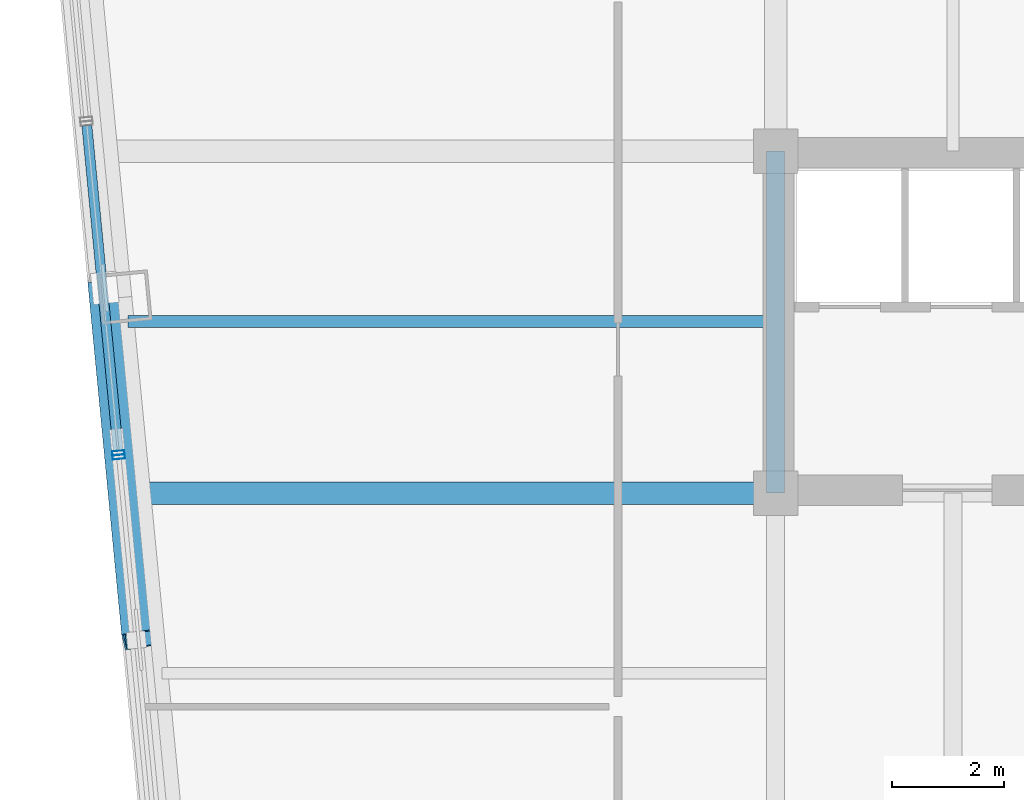
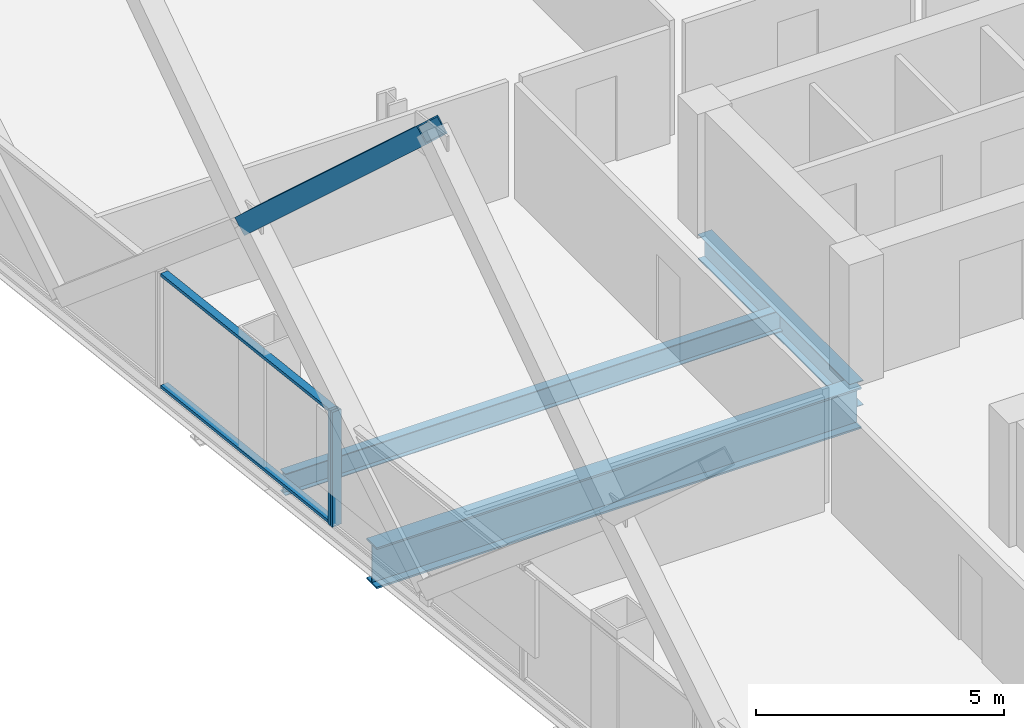
# One storey, part 10 of 32: 5 members, 3 beams, 2 elements without a shape of their own.
"""IFC4 building model written with IfcOpenShell, lengths in metres."""

from ifc_helpers import new_model, si_unit, direction, frame, origin, origin_2d, place, context, subcontext, project, spatial, hollow_rectangle, i_section, extrude, material, layer, layer_set, material_profile, profile_set, type_object, element, aggregate, save


model = new_model("IFC4")

# Units and contexts
model_context = context("Model", 3, precision=1e-05, world=origin(), true_north=direction((0.0, 1.0)))
body_context = subcontext(model_context, "Body", "Model", "MODEL_VIEW")
ifc_project = project(units=[si_unit("LENGTHUNIT", "METRE"), si_unit("AREAUNIT", "SQUARE_METRE"), si_unit("VOLUMEUNIT", "CUBIC_METRE"), si_unit("PLANEANGLEUNIT", "RADIAN"), si_unit("MASSUNIT", "GRAM", prefix="KILO")], contexts=[model_context])

# Site, building, storey
site_placement = place(None, origin())
site = spatial("IfcSite", under=ifc_project, at=site_placement, CompositionType="ELEMENT")
building_placement = place(site_placement, origin())
building = spatial("IfcBuilding", under=site, at=building_placement, Name="Qhalaya Broadcast Tower", CompositionType="ELEMENT")
storey_placement = place(building_placement, frame((0.0, 0.0, 81.64990234375)))
storey = spatial("IfcBuildingStorey", under=building, at=storey_placement, Name="L23", CompositionType="ELEMENT", Elevation=81.64990234375)

# Beams
ifc_material_1 = material(Name="Structural Steel ASTM A992 Grade 50", Category="steel")
ifc_material_profile_1 = material_profile(ifc_material_1, i_section(OverallWidth=0.2099609375, OverallDepth=0.535888671875, WebThickness=0.010986328125, FlangeThickness=0.017333984375, at=origin_2d()), Name="W21X68")
ifc_profile_set_1 = profile_set([ifc_material_profile_1], Name="Structural Steel ASTM A992 Grade 50")
beam_type_1 = type_object("IfcBeamType", Name="Composite Floor Joist J02", PredefinedType="JOIST", material=ifc_profile_set_1)
beam_1_placement = place(storey_placement, frame((-20.974853515625, 6.89990234375, -0.48779296875), z_axis=(1.0, 0.0, 0.0), x_axis=(0.0, 1.0, 0.0)))
element("IfcBeam", 1, at=beam_1_placement, inside=storey, type_object=beam_type_1, Name="L23 J02 L23-JWE5W-1", PredefinedType="JOIST", context=body_context, shape_type="SweptSolid", body=[
    extrude(i_section(OverallWidth=0.2099609375, OverallDepth=0.535888671875, WebThickness=0.010986328125, FlangeThickness=0.017333984375, at=origin_2d()), origin(), (0.0, 0.0, 1.0), 11.599853515625),
])
ifc_material_profile_2 = material_profile(ifc_material_1, i_section(OverallWidth=0.323974609375, OverallDepth=0.612060546875, WebThickness=0.0126953125, FlangeThickness=0.01904296875, at=origin_2d()), Name="W24X104")
ifc_profile_set_2 = profile_set([ifc_material_profile_2], Name="Structural Steel ASTM A992 Grade 50")
beam_type_2 = type_object("IfcBeamType", Name="Core Frame Tie Beam B04", PredefinedType="BEAM", material=ifc_profile_set_2)
beam_2_placement = place(storey_placement, frame((-9.375, 3.824951171875, -0.52587890625), z_axis=(0.0, 1.0, 0.0), x_axis=(-1.0, 0.0, 0.0)))
element("IfcBeam", 2, at=beam_2_placement, inside=storey, type_object=beam_type_2, Name="L23 B04 L23-CCN2", PredefinedType="BEAM", context=body_context, shape_type="SweptSolid", body=[
    extrude(i_section(OverallWidth=0.323974609375, OverallDepth=0.612060546875, WebThickness=0.0126953125, FlangeThickness=0.01904296875, at=origin_2d()), origin(), (0.0, 0.0, 1.0), 6.125),
])

# Member
ifc_material_2 = material(Name="Structural Steel ASTM A572 Grade 50", Category="steel")
ifc_material_profile_3 = material_profile(ifc_material_2, hollow_rectangle(XDim=0.419921875, YDim=0.550048828125, WallThickness=0.028076171875, at=origin_2d()), Name="BOX 420x550x28")
ifc_profile_set_3 = profile_set([ifc_material_profile_3], Name="Structural Steel ASTM A572 Grade 50")
member_type_1 = type_object("IfcMemberType", Name="Exoskeleton Diamond Diagonal Mid-Low EX2", PredefinedType="BRACE", material=ifc_profile_set_3)
member_1_placement = place(storey_placement, frame((-21.39453125, 7.501708984375, 5.739990234375), z_axis=(0.070340028415, -0.730619555004, 0.679151931638), x_axis=(-0.160189075689, 0.663728866417, 0.730618540632)))
element("IfcMember", 3, at=member_1_placement, inside=storey, type_object=member_type_1, Name="B2 Exoskeleton Diamond Brace W2-D3", PredefinedType="BRACE", context=body_context, shape_type="SweptSolid", body=[
    extrude(hollow_rectangle(XDim=0.419921875, YDim=0.550048828125, WallThickness=0.028076171875, at=origin_2d()), origin(), (0.0, 0.0, 1.0), 8.628662109375),
])

# Beam
ifc_material_profile_4 = material_profile(ifc_material_1, i_section(OverallWidth=0.40087890625, OverallDepth=1.010986328125, WebThickness=0.023681640625, FlangeThickness=0.0419921875, at=origin_2d()), Name="W40X297")
ifc_profile_set_4 = profile_set([ifc_material_profile_4], Name="Structural Steel ASTM A992 Grade 50")
beam_type_3 = type_object("IfcBeamType", Name="Lower Block Primary Girder PG2", PredefinedType="USERDEFINED", material=ifc_profile_set_4)
beam_3_placement = place(storey_placement, frame((-20.6787109375, 3.824951171875, -0.725341796875), z_axis=(1.0, 0.0, 0.0), x_axis=(0.0, 1.0, 0.0)))
element("IfcBeam", 4, at=beam_3_placement, inside=storey, type_object=beam_type_3, Name="L23 PG2 L23-PGYW3-1", ObjectType="GIRDER", PredefinedType="USERDEFINED", context=body_context, shape_type="SweptSolid", body=[
    extrude(i_section(OverallWidth=0.40087890625, OverallDepth=1.010986328125, WebThickness=0.023681640625, FlangeThickness=0.0419921875, at=origin_2d()), origin(), (0.0, 0.0, 1.0), 11.3037109375),
])

# Curtain wall, member
ifc_material_3 = material(Name="Solar-Control Low-E Triple Glazing", Category="glass")
ifc_layer_1 = layer(ifc_material_3, 0.219970703125, Name="Solar-Control Low-E Triple Glazing")
ifc_layer_set_1 = layer_set([ifc_layer_1], Name="Solar-Control Low-E Triple Glazing")
curtain_wall_type_1 = type_object("IfcCurtainWallType", Name="Even-Block 4-Storey Double-Module Curtain Wall CW-03", PredefinedType="NOTDEFINED", material=ifc_layer_set_1)
curtain_wall_1_placement = place(storey_placement, origin())
curtain_wall_1 = element("IfcCurtainWall", 5, at=curtain_wall_1_placement, inside=storey, type_object=curtain_wall_type_1, Name="L23 Unitised Curtain Wall L23-CW-W3", PredefinedType="NOTDEFINED")
ifc_material_4 = material(Name="Anodised Aluminium 6063-T6", Category="aluminium")
ifc_material_profile_5 = material_profile(ifc_material_4, hollow_rectangle(XDim=0.074951171875, YDim=0.219970703125, WallThickness=0.00390625, at=origin_2d()), Name="ALU-MUL 75x220x4")
ifc_profile_set_5 = profile_set([ifc_material_profile_5], Name="Anodised Aluminium 6063-T6")
member_type_2 = type_object("IfcMemberType", Name="Unitised Curtain-Wall Mullion M01", PredefinedType="MULLION", material=ifc_profile_set_5)
member_2_placement = place(storey_placement, frame((-21.150146484375, 4.546630859375, 0.0), z_axis=(0.0, 0.0, 1.0), x_axis=(0.095837131698, -0.99539702842, 0.0)))
member_2 = element("IfcMember", 6, at=member_2_placement, type_object=member_type_2, Name="CW-03 mullion 2", PredefinedType="MULLION", context=body_context, shape_type="SweptSolid", body=[
    extrude(hollow_rectangle(XDim=0.074951171875, YDim=0.219970703125, WallThickness=0.00390625, at=origin_2d()), origin(), (0.0, 0.0, 1.0), 2.830078125),
])

ifc_material_5 = material(Name="Fired Architectural Terracotta", Category="masonry")
ifc_layer_2 = layer(ifc_material_5, 0.219970703125, Name="Fired Architectural Terracotta")
ifc_layer_set_2 = layer_set([ifc_layer_2], Name="Fired Architectural Terracotta")
curtain_wall_type_2 = type_object("IfcCurtainWallType", Name="Block-Cap Unitised Terracotta Spandrel Wall CW-07", PredefinedType="NOTDEFINED", material=ifc_layer_set_2)
curtain_wall_2_placement = place(storey_placement, origin())
curtain_wall_2 = element("IfcCurtainWall", 7, at=curtain_wall_2_placement, inside=storey, type_object=curtain_wall_type_2, Name="L23 Unitised Curtain Wall L23-CW-W4", PredefinedType="NOTDEFINED")
member_3_placement = place(storey_placement, frame((-21.14306640625, 4.47216796875, 0.0), z_axis=(0.0, 0.0, 1.0), x_axis=(0.095857417835, -0.995395075056, 0.0)))
member_3 = element("IfcMember", 8, at=member_3_placement, type_object=member_type_2, Name="CW-07 mullion 1", PredefinedType="MULLION", context=body_context, shape_type="SweptSolid", body=[
    extrude(hollow_rectangle(XDim=0.074951171875, YDim=0.219970703125, WallThickness=0.00390625, at=origin_2d()), origin(), (0.0, 0.0, 1.0), 2.830078125),
])
aggregate(curtain_wall_2, [member_3])

# Member
ifc_material_profile_6 = material_profile(ifc_material_4, hollow_rectangle(XDim=0.074951171875, YDim=0.179931640625, WallThickness=0.00390625, at=origin_2d()), Name="ALU-TRN 75x180x4")
ifc_profile_set_6 = profile_set([ifc_material_profile_6], Name="Anodised Aluminium 6063-T6")
member_type_3 = type_object("IfcMemberType", Name="Unitised Curtain-Wall Transom T01", PredefinedType="USERDEFINED", material=ifc_profile_set_6)
member_4_placement = place(storey_placement, frame((-21.71484375, 10.4111328125, 0.03759765625), z_axis=(0.095836372519, -0.995397101514, 0.0), x_axis=(0.0, 0.0, 1.0)))
member_4 = element("IfcMember", 9, at=member_4_placement, type_object=member_type_3, Name="CW-03 transom 1.1", ObjectType="TRANSOM", PredefinedType="USERDEFINED", context=body_context, shape_type="SweptSolid", body=[
    extrude(hollow_rectangle(XDim=0.074951171875, YDim=0.179931640625, WallThickness=0.00390625, at=origin_2d()), origin(), (0.0, 0.0, 1.0), 5.85400390625),
])

member_5_placement = place(storey_placement, frame((-21.71484375, 10.4111328125, 2.79248046875), z_axis=(0.095836372519, -0.995397101514, 0.0), x_axis=(0.0, 0.0, 1.0)))
member_5 = element("IfcMember", 10, at=member_5_placement, type_object=member_type_3, Name="CW-03 transom 1.2", ObjectType="TRANSOM", PredefinedType="USERDEFINED", context=body_context, shape_type="SweptSolid", body=[
    extrude(hollow_rectangle(XDim=0.074951171875, YDim=0.179931640625, WallThickness=0.00390625, at=origin_2d()), origin(), (0.0, 0.0, 1.0), 5.85400390625),
])

aggregate(curtain_wall_1, [member_2, member_4, member_5])

save(model, "model.ifc")
